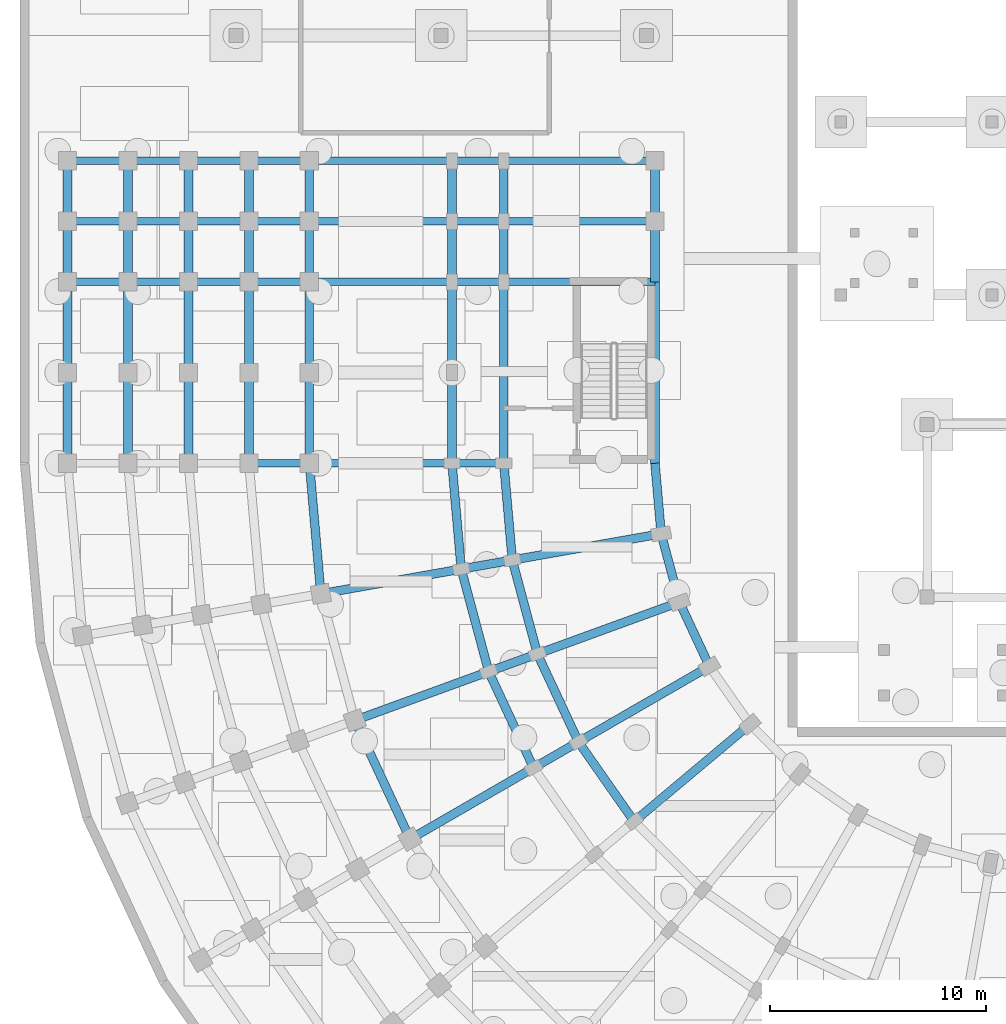
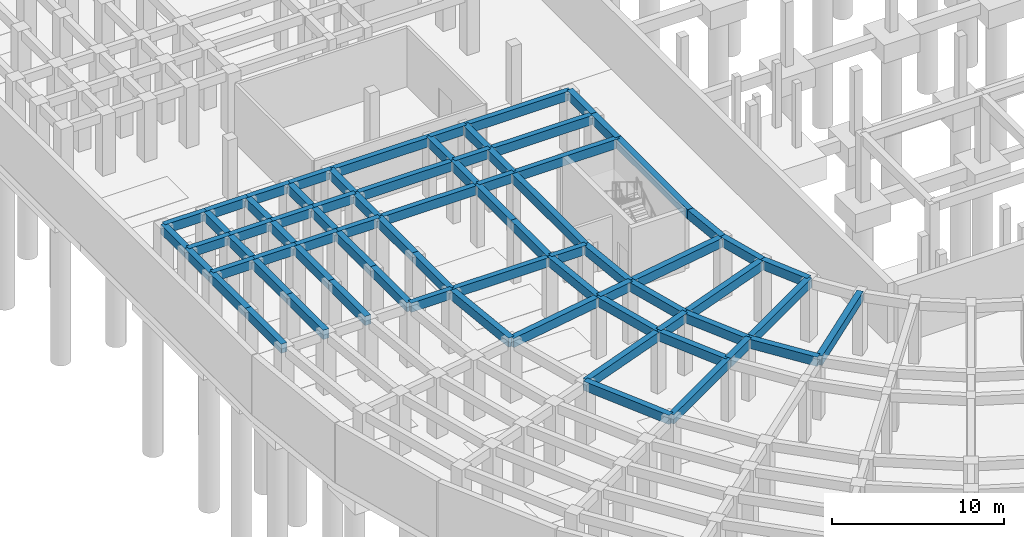
# One storey, part 20 of 53: 76 beams.
"""IFC4 building model written with IfcOpenShell, lengths in metres."""

from ifc_helpers import new_model, si_unit, direction, frame, origin, origin_2d, place, context, subcontext, project, spatial, rectangle, extrude, material, material_profile, profile_set, type_object, element, save


model = new_model("IFC4")

# Units and contexts
model_context = context("Model", 3, precision=1e-05, world=origin(), true_north=direction((0.0, 1.0)))
body_context = subcontext(model_context, "Body", "Model", "MODEL_VIEW")
ifc_project = project(units=[si_unit("LENGTHUNIT", "METRE"), si_unit("AREAUNIT", "SQUARE_METRE"), si_unit("VOLUMEUNIT", "CUBIC_METRE"), si_unit("PLANEANGLEUNIT", "RADIAN"), si_unit("MASSUNIT", "GRAM", prefix="KILO")], contexts=[model_context])

# Site, building, storey
site_placement = place(None, origin())
site = spatial("IfcSite", under=ifc_project, at=site_placement, CompositionType="ELEMENT")
building_placement = place(site_placement, origin())
building = spatial("IfcBuilding", under=site, at=building_placement, Name="Kiranvali Square Residences", CompositionType="ELEMENT")
storey_placement = place(building_placement, frame((0.0, 0.0, -4.5)))
storey = spatial("IfcBuildingStorey", under=building, at=storey_placement, Name="B1", CompositionType="ELEMENT", Elevation=-4.5)

# Beams
ifc_material_1 = material(Name="Concrete M40 (40 MPa)", Category="concrete")
ifc_material_profile_1 = material_profile(ifc_material_1, rectangle(XDim=0.35009765625, YDim=0.64990234375, at=origin_2d()), Name="RC 350x650")
ifc_profile_set_1 = profile_set([ifc_material_profile_1], Name="Concrete M40 (40 MPa)")
beam_type_1 = type_object("IfcBeamType", Name="BM-M40-350x650", PredefinedType="BEAM", material=ifc_profile_set_1)
beam_1_placement = place(storey_placement, frame((22.39990234375, 48.199951171875, 3.955078125), z_axis=(-1.0, 0.0, 0.0), x_axis=(0.0, -1.0, 0.0)))
element("IfcBeam", 1, at=beam_1_placement, inside=storey, type_object=beam_type_1, Name="B1 beam BM-C-B1-A2T0-12", PredefinedType="BEAM", context=body_context, shape_type="SweptSolid", body=[
    extrude(rectangle(XDim=0.35009765625, YDim=0.64990234375, at=origin_2d()), origin(), (0.0, 0.0, 1.0), 2.39990234375),
])
beam_2_placement = place(storey_placement, frame((20.0, 48.199951171875, 3.955078125), z_axis=(-1.0, 0.0, 0.0), x_axis=(0.0, -1.0, 0.0)))
element("IfcBeam", 2, at=beam_2_placement, inside=storey, type_object=beam_type_1, Name="B1 beam BM-C-B1-A2T0-23", PredefinedType="BEAM", context=body_context, shape_type="SweptSolid", body=[
    extrude(rectangle(XDim=0.35009765625, YDim=0.64990234375, at=origin_2d()), origin(), (0.0, 0.0, 1.0), 6.60009765625),
])
beam_3_placement = place(storey_placement, frame((13.39990234375, 48.199951171875, 3.955078125), z_axis=(-1.0, 0.0, 0.0), x_axis=(0.0, -1.0, 0.0)))
element("IfcBeam", 3, at=beam_3_placement, inside=storey, type_object=beam_type_1, Name="B1 beam BM-C-B1-A2T0-34", PredefinedType="BEAM", context=body_context, shape_type="SweptSolid", body=[
    extrude(rectangle(XDim=0.35009765625, YDim=0.64990234375, at=origin_2d()), origin(), (0.0, 0.0, 1.0), 2.7998046875),
])
beam_4_placement = place(storey_placement, frame((29.39990234375, 56.60009765625, 3.955078125), z_axis=(-1.0, 0.0, 0.0), x_axis=(0.0, -1.0, 0.0)))
element("IfcBeam", 4, at=beam_4_placement, inside=storey, type_object=beam_type_1, Name="B1 beam BM-C-B1-A2T1-01", PredefinedType="BEAM", context=body_context, shape_type="SweptSolid", body=[
    extrude(rectangle(XDim=0.35009765625, YDim=0.64990234375, at=origin_2d()), origin(), (0.0, 0.0, 1.0), 7.0),
])
beam_5_placement = place(storey_placement, frame((22.39990234375, 56.60009765625, 3.955078125), z_axis=(-1.0, 0.0, 0.0), x_axis=(0.0, -1.0, 0.0)))
element("IfcBeam", 5, at=beam_5_placement, inside=storey, type_object=beam_type_1, Name="B1 beam BM-C-B1-A2T1-12", PredefinedType="BEAM", context=body_context, shape_type="SweptSolid", body=[
    extrude(rectangle(XDim=0.35009765625, YDim=0.64990234375, at=origin_2d()), origin(), (0.0, 0.0, 1.0), 2.39990234375),
])
beam_6_placement = place(storey_placement, frame((20.0, 56.60009765625, 3.955078125), z_axis=(-1.0, 0.0, 0.0), x_axis=(0.0, -1.0, 0.0)))
element("IfcBeam", 6, at=beam_6_placement, inside=storey, type_object=beam_type_1, Name="B1 beam BM-C-B1-A2T1-23", PredefinedType="BEAM", context=body_context, shape_type="SweptSolid", body=[
    extrude(rectangle(XDim=0.35009765625, YDim=0.64990234375, at=origin_2d()), origin(), (0.0, 0.0, 1.0), 6.60009765625),
])
beam_7_placement = place(storey_placement, frame((13.39990234375, 56.60009765625, 3.955078125), z_axis=(-1.0, 0.0, 0.0), x_axis=(0.0, -1.0, 0.0)))
element("IfcBeam", 7, at=beam_7_placement, inside=storey, type_object=beam_type_1, Name="B1 beam BM-C-B1-A2T1-34", PredefinedType="BEAM", context=body_context, shape_type="SweptSolid", body=[
    extrude(rectangle(XDim=0.35009765625, YDim=0.64990234375, at=origin_2d()), origin(), (0.0, 0.0, 1.0), 2.7998046875),
])
for number, where, z_axis, x_axis, name in (
    (8, (10.60009765625, 56.60009765625, 3.955078125), (-1.0, 0.0, 0.0), (0.0, -1.0, 0.0), "B1 beam BM-C-B1-A2T1-45"),
    (9, (7.800048828125, 56.60009765625, 3.955078125), (-1.0, 0.0, 0.0), (0.0, -1.0, 0.0), "B1 beam BM-C-B1-A2T1-56"),
    (10, (5.0, 56.60009765625, 3.955078125), (-1.0, 0.0, 0.0), (0.0, -1.0, 0.0), "B1 beam BM-C-B1-A2T1-67"),
):
    element("IfcBeam", number, at=place(storey_placement, frame(where, z_axis=z_axis, x_axis=x_axis)), inside=storey, type_object=beam_type_1, Name=name, PredefinedType="BEAM", context=body_context, shape_type="SweptSolid", body=[
        extrude(rectangle(XDim=0.35009765625, YDim=0.64990234375, at=origin_2d()), origin(), (0.0, 0.0, 1.0), 2.800048828125),
    ])
beam_8_placement = place(storey_placement, frame((29.39990234375, 59.39990234375, 3.955078125), z_axis=(-1.0, 0.0, 0.0), x_axis=(0.0, -1.0, 0.0)))
element("IfcBeam", 11, at=beam_8_placement, inside=storey, type_object=beam_type_1, Name="B1 beam BM-C-B1-A2T2-01", PredefinedType="BEAM", context=body_context, shape_type="SweptSolid", body=[
    extrude(rectangle(XDim=0.35009765625, YDim=0.64990234375, at=origin_2d()), origin(), (0.0, 0.0, 1.0), 7.0),
])
beam_9_placement = place(storey_placement, frame((22.39990234375, 59.39990234375, 3.955078125), z_axis=(-1.0, 0.0, 0.0), x_axis=(0.0, -1.0, 0.0)))
element("IfcBeam", 12, at=beam_9_placement, inside=storey, type_object=beam_type_1, Name="B1 beam BM-C-B1-A2T2-12", PredefinedType="BEAM", context=body_context, shape_type="SweptSolid", body=[
    extrude(rectangle(XDim=0.35009765625, YDim=0.64990234375, at=origin_2d()), origin(), (0.0, 0.0, 1.0), 2.39990234375),
])
beam_10_placement = place(storey_placement, frame((20.0, 59.39990234375, 3.955078125), z_axis=(-1.0, 0.0, 0.0), x_axis=(0.0, -1.0, 0.0)))
element("IfcBeam", 13, at=beam_10_placement, inside=storey, type_object=beam_type_1, Name="B1 beam BM-C-B1-A2T2-23", PredefinedType="BEAM", context=body_context, shape_type="SweptSolid", body=[
    extrude(rectangle(XDim=0.35009765625, YDim=0.64990234375, at=origin_2d()), origin(), (0.0, 0.0, 1.0), 6.60009765625),
])
beam_11_placement = place(storey_placement, frame((13.39990234375, 59.39990234375, 3.955078125), z_axis=(-1.0, 0.0, 0.0), x_axis=(0.0, -1.0, 0.0)))
element("IfcBeam", 14, at=beam_11_placement, inside=storey, type_object=beam_type_1, Name="B1 beam BM-C-B1-A2T2-34", PredefinedType="BEAM", context=body_context, shape_type="SweptSolid", body=[
    extrude(rectangle(XDim=0.35009765625, YDim=0.64990234375, at=origin_2d()), origin(), (0.0, 0.0, 1.0), 2.7998046875),
])
for number, where, z_axis, x_axis, name in (
    (15, (10.60009765625, 59.39990234375, 3.955078125), (-1.0, 0.0, 0.0), (0.0, -1.0, 0.0), "B1 beam BM-C-B1-A2T2-45"),
    (16, (7.800048828125, 59.39990234375, 3.955078125), (-1.0, 0.0, 0.0), (0.0, -1.0, 0.0), "B1 beam BM-C-B1-A2T2-56"),
    (17, (5.0, 59.39990234375, 3.955078125), (-1.0, 0.0, 0.0), (0.0, -1.0, 0.0), "B1 beam BM-C-B1-A2T2-67"),
):
    element("IfcBeam", number, at=place(storey_placement, frame(where, z_axis=z_axis, x_axis=x_axis)), inside=storey, type_object=beam_type_1, Name=name, PredefinedType="BEAM", context=body_context, shape_type="SweptSolid", body=[
        extrude(rectangle(XDim=0.35009765625, YDim=0.64990234375, at=origin_2d()), origin(), (0.0, 0.0, 1.0), 2.800048828125),
    ])
beam_12_placement = place(storey_placement, frame((29.39990234375, 62.199951171875, 3.955078125), z_axis=(-1.0, 0.0, 0.0), x_axis=(0.0, -1.0, 0.0)))
element("IfcBeam", 18, at=beam_12_placement, inside=storey, type_object=beam_type_1, Name="B1 beam BM-C-B1-A2T3-01", PredefinedType="BEAM", context=body_context, shape_type="SweptSolid", body=[
    extrude(rectangle(XDim=0.35009765625, YDim=0.64990234375, at=origin_2d()), origin(), (0.0, 0.0, 1.0), 7.0),
])
beam_13_placement = place(storey_placement, frame((22.39990234375, 62.199951171875, 3.955078125), z_axis=(-1.0, 0.0, 0.0), x_axis=(0.0, -1.0, 0.0)))
element("IfcBeam", 19, at=beam_13_placement, inside=storey, type_object=beam_type_1, Name="B1 beam BM-C-B1-A2T3-12", PredefinedType="BEAM", context=body_context, shape_type="SweptSolid", body=[
    extrude(rectangle(XDim=0.35009765625, YDim=0.64990234375, at=origin_2d()), origin(), (0.0, 0.0, 1.0), 2.39990234375),
])
beam_14_placement = place(storey_placement, frame((20.0, 62.199951171875, 3.955078125), z_axis=(-1.0, 0.0, 0.0), x_axis=(0.0, -1.0, 0.0)))
element("IfcBeam", 20, at=beam_14_placement, inside=storey, type_object=beam_type_1, Name="B1 beam BM-C-B1-A2T3-23", PredefinedType="BEAM", context=body_context, shape_type="SweptSolid", body=[
    extrude(rectangle(XDim=0.35009765625, YDim=0.64990234375, at=origin_2d()), origin(), (0.0, 0.0, 1.0), 6.60009765625),
])
beam_15_placement = place(storey_placement, frame((13.39990234375, 62.199951171875, 3.955078125), z_axis=(-1.0, 0.0, 0.0), x_axis=(0.0, -1.0, 0.0)))
element("IfcBeam", 21, at=beam_15_placement, inside=storey, type_object=beam_type_1, Name="B1 beam BM-C-B1-A2T3-34", PredefinedType="BEAM", context=body_context, shape_type="SweptSolid", body=[
    extrude(rectangle(XDim=0.35009765625, YDim=0.64990234375, at=origin_2d()), origin(), (0.0, 0.0, 1.0), 2.7998046875),
])
for number, where, z_axis, x_axis, name in (
    (22, (10.60009765625, 62.199951171875, 3.955078125), (-1.0, 0.0, 0.0), (0.0, -1.0, 0.0), "B1 beam BM-C-B1-A2T3-45"),
    (23, (7.800048828125, 62.199951171875, 3.955078125), (-1.0, 0.0, 0.0), (0.0, -1.0, 0.0), "B1 beam BM-C-B1-A2T3-56"),
    (24, (5.0, 62.199951171875, 3.955078125), (-1.0, 0.0, 0.0), (0.0, -1.0, 0.0), "B1 beam BM-C-B1-A2T3-67"),
):
    element("IfcBeam", number, at=place(storey_placement, frame(where, z_axis=z_axis, x_axis=x_axis)), inside=storey, type_object=beam_type_1, Name=name, PredefinedType="BEAM", context=body_context, shape_type="SweptSolid", body=[
        extrude(rectangle(XDim=0.35009765625, YDim=0.64990234375, at=origin_2d()), origin(), (0.0, 0.0, 1.0), 2.800048828125),
    ])
ifc_material_2 = material(Name="Concrete M45 (45 MPa)", Category="concrete")
ifc_material_profile_2 = material_profile(ifc_material_2, rectangle(XDim=0.39990234375, YDim=0.64990234375, at=origin_2d()), Name="RC 400x650")
ifc_profile_set_2 = profile_set([ifc_material_profile_2], Name="Concrete M45 (45 MPa)")
beam_type_2 = type_object("IfcBeamType", Name="BM-M45-400x650", PredefinedType="BEAM", material=ifc_profile_set_2)
beam_16_placement = place(storey_placement, frame((28.43603515625, 31.615966796875, 3.955078125), z_axis=(-0.573571637217, 0.819155404658, 0.0), x_axis=(-0.819155404658, -0.573571637217, 0.0)))
element("IfcBeam", 25, at=beam_16_placement, inside=storey, type_object=beam_type_2, Name="B1 beam BM-C-B1-C05-R1", PredefinedType="BEAM", context=body_context, shape_type="SweptSolid", body=[
    extrude(rectangle(XDim=0.39990234375, YDim=0.64990234375, at=origin_2d()), origin(), (0.0, 0.0, 1.0), 4.497314453125),
])
beam_17_placement = place(storey_placement, frame((31.918701171875, 38.800048828125, 3.955078125), z_axis=(-0.422640740585, 0.90629730464, 0.0), x_axis=(-0.90629730464, -0.422640740585, 0.0)))
element("IfcBeam", 26, at=beam_17_placement, inside=storey, type_object=beam_type_2, Name="B1 beam BM-C-B1-C06-R0", PredefinedType="BEAM", context=body_context, shape_type="SweptSolid", body=[
    extrude(rectangle(XDim=0.39990234375, YDim=0.64990234375, at=origin_2d()), origin(), (0.0, 0.0, 1.0), 3.277099609375),
])
beam_18_placement = place(storey_placement, frame((25.8564453125, 35.300048828125, 3.955078125), z_axis=(-0.422617978463, 0.906307919131, 0.0), x_axis=(-0.906307919131, -0.422617978463, 0.0)))
element("IfcBeam", 27, at=beam_18_placement, inside=storey, type_object=beam_type_2, Name="B1 beam BM-C-B1-C06-R1", PredefinedType="BEAM", context=body_context, shape_type="SweptSolid", body=[
    extrude(rectangle(XDim=0.39990234375, YDim=0.64990234375, at=origin_2d()), origin(), (0.0, 0.0, 1.0), 4.497314453125),
])
beam_19_placement = place(storey_placement, frame((23.778076171875, 34.10009765625, 3.955078125), z_axis=(-0.422629854778, 0.906302381024, 0.0), x_axis=(-0.906302381024, -0.422629854778, 0.0)))
element("IfcBeam", 28, at=beam_19_placement, inside=storey, type_object=beam_type_2, Name="B1 beam BM-C-B1-C06-R2", PredefinedType="BEAM", context=body_context, shape_type="SweptSolid", body=[
    extrude(rectangle(XDim=0.39990234375, YDim=0.64990234375, at=origin_2d()), origin(), (0.0, 0.0, 1.0), 4.915283203125),
])
beam_20_placement = place(storey_placement, frame((18.062255859375, 30.800048828125, 3.955078125), z_axis=(-0.42260781991, 0.906312656069, 0.0), x_axis=(-0.906312656069, -0.42260781991, 0.0)))
element("IfcBeam", 29, at=beam_20_placement, inside=storey, type_object=beam_type_2, Name="B1 beam BM-C-B1-C06-R3", PredefinedType="BEAM", context=body_context, shape_type="SweptSolid", body=[
    extrude(rectangle(XDim=0.39990234375, YDim=0.64990234375, at=origin_2d()), origin(), (0.0, 0.0, 1.0), 6.06591796875),
])
beam_21_placement = place(storey_placement, frame((30.53369140625, 41.77001953125, 3.955078125), z_axis=(-0.258821736607, 0.965925105099, 0.0), x_axis=(-0.965925105099, -0.258821736607, 0.0)))
element("IfcBeam", 30, at=beam_21_placement, inside=storey, type_object=beam_type_2, Name="B1 beam BM-C-B1-C07-R0", PredefinedType="BEAM", context=body_context, shape_type="SweptSolid", body=[
    extrude(rectangle(XDim=0.39990234375, YDim=0.64990234375, at=origin_2d()), origin(), (0.0, 0.0, 1.0), 3.27685546875),
])
beam_22_placement = place(storey_placement, frame((23.955810546875, 39.3759765625, 3.955078125), z_axis=(-0.258787642463, 0.965934240054, 0.0), x_axis=(-0.965934240054, -0.258787642463, 0.0)))
element("IfcBeam", 31, at=beam_22_placement, inside=storey, type_object=beam_type_2, Name="B1 beam BM-C-B1-C07-R1", PredefinedType="BEAM", context=body_context, shape_type="SweptSolid", body=[
    extrude(rectangle(XDim=0.39990234375, YDim=0.64990234375, at=origin_2d()), origin(), (0.0, 0.0, 1.0), 4.497314453125),
])
beam_23_placement = place(storey_placement, frame((21.70068359375, 38.554931640625, 3.955078125), z_axis=(-0.258803112091, 0.965930095386, 0.0), x_axis=(-0.965930095386, -0.258803112091, 0.0)))
element("IfcBeam", 32, at=beam_23_placement, inside=storey, type_object=beam_type_2, Name="B1 beam BM-C-B1-C07-R2", PredefinedType="BEAM", context=body_context, shape_type="SweptSolid", body=[
    extrude(rectangle(XDim=0.39990234375, YDim=0.64990234375, at=origin_2d()), origin(), (0.0, 0.0, 1.0), 4.915771484375),
])
beam_24_placement = place(storey_placement, frame((29.685546875, 44.935302734375, 3.955078125), z_axis=(-0.087163253657, 0.996194040944, 0.0), x_axis=(-0.996194040944, -0.087163253657, 0.0)))
element("IfcBeam", 33, at=beam_24_placement, inside=storey, type_object=beam_type_2, Name="B1 beam BM-C-B1-C08-R0", PredefinedType="BEAM", context=body_context, shape_type="SweptSolid", body=[
    extrude(rectangle(XDim=0.39990234375, YDim=0.64990234375, at=origin_2d()), origin(), (0.0, 0.0, 1.0), 3.277099609375),
])
beam_25_placement = place(storey_placement, frame((22.7919921875, 43.719970703125, 3.955078125), z_axis=(-0.087187153726, 0.996191949488, 0.0), x_axis=(-0.996191949488, -0.087187153726, 0.0)))
element("IfcBeam", 34, at=beam_25_placement, inside=storey, type_object=beam_type_2, Name="B1 beam BM-C-B1-C08-R1", PredefinedType="BEAM", context=body_context, shape_type="SweptSolid", body=[
    extrude(rectangle(XDim=0.39990234375, YDim=0.64990234375, at=origin_2d()), origin(), (0.0, 0.0, 1.0), 4.4970703125),
])
beam_26_placement = place(storey_placement, frame((20.428466796875, 43.30322265625, 3.955078125), z_axis=(-0.087167566415, 0.996193663584, 0.0), x_axis=(-0.996193663584, -0.087167566415, 0.0)))
element("IfcBeam", 35, at=beam_26_placement, inside=storey, type_object=beam_type_2, Name="B1 beam BM-C-B1-C08-R2", PredefinedType="BEAM", context=body_context, shape_type="SweptSolid", body=[
    extrude(rectangle(XDim=0.39990234375, YDim=0.64990234375, at=origin_2d()), origin(), (0.0, 0.0, 1.0), 4.91552734375),
])
beam_27_placement = place(storey_placement, frame((13.9287109375, 42.156982421875, 3.955078125), z_axis=(-0.087174938512, 0.996193018494, 0.0), x_axis=(-0.996193018494, -0.087174938512, 0.0)))
element("IfcBeam", 36, at=beam_27_placement, inside=storey, type_object=beam_type_2, Name="B1 beam BM-C-B1-C08-R3", PredefinedType="BEAM", context=body_context, shape_type="SweptSolid", body=[
    extrude(rectangle(XDim=0.39990234375, YDim=0.64990234375, at=origin_2d()), origin(), (0.0, 0.0, 1.0), 6.066162109375),
])
for number, where, z_axis, x_axis, name in (
    (37, (33.79833984375, 36.115478515625, 3.955078125), (-0.766044173478, -0.642787931032, 0.0), (0.642787931032, -0.766044173478, 0.0), "B1 beam BM-C-B1-RAD05-01"),
    (38, (31.918701171875, 38.800048828125, 3.955078125), (-0.866028190633, -0.499995173006, 0.0), (0.499995173006, -0.866028190633, 0.0), "B1 beam BM-C-B1-RAD06-01"),
):
    element("IfcBeam", number, at=place(storey_placement, frame(where, z_axis=z_axis, x_axis=x_axis)), inside=storey, type_object=beam_type_2, Name=name, PredefinedType="BEAM", context=body_context, shape_type="SweptSolid", body=[
        extrude(rectangle(XDim=0.39990234375, YDim=0.64990234375, at=origin_2d()), origin(), (0.0, 0.0, 1.0), 7.0),
    ])
beam_28_placement = place(storey_placement, frame((25.8564453125, 35.300048828125, 3.955078125), z_axis=(-0.866024647952, -0.500001309137, 0.0), x_axis=(0.500001309137, -0.866024647952, 0.0)))
element("IfcBeam", 39, at=beam_28_placement, inside=storey, type_object=beam_type_2, Name="B1 beam BM-C-B1-RAD06-12", PredefinedType="BEAM", context=body_context, shape_type="SweptSolid", body=[
    extrude(rectangle(XDim=0.39990234375, YDim=0.64990234375, at=origin_2d()), origin(), (0.0, 0.0, 1.0), 2.39990234375),
])
beam_29_placement = place(storey_placement, frame((23.778076171875, 34.10009765625, 3.955078125), z_axis=(-0.866024194504, -0.500002094529, 0.0), x_axis=(0.500002094529, -0.866024194504, 0.0)))
element("IfcBeam", 40, at=beam_29_placement, inside=storey, type_object=beam_type_2, Name="B1 beam BM-C-B1-RAD06-23", PredefinedType="BEAM", context=body_context, shape_type="SweptSolid", body=[
    extrude(rectangle(XDim=0.39990234375, YDim=0.64990234375, at=origin_2d()), origin(), (0.0, 0.0, 1.0), 6.60009765625),
])
beam_30_placement = place(storey_placement, frame((30.53369140625, 41.77001953125, 3.955078125), z_axis=(-0.939697665127, -0.342006283793, 0.0), x_axis=(0.342006283793, -0.939697665127, 0.0)))
element("IfcBeam", 41, at=beam_30_placement, inside=storey, type_object=beam_type_2, Name="B1 beam BM-C-B1-RAD07-01", PredefinedType="BEAM", context=body_context, shape_type="SweptSolid", body=[
    extrude(rectangle(XDim=0.39990234375, YDim=0.64990234375, at=origin_2d()), origin(), (0.0, 0.0, 1.0), 7.0),
])
beam_31_placement = place(storey_placement, frame((23.955810546875, 39.3759765625, 3.955078125), z_axis=(-0.939659694648, -0.342110593602, 0.0), x_axis=(0.342110593602, -0.939659694648, 0.0)))
element("IfcBeam", 42, at=beam_31_placement, inside=storey, type_object=beam_type_2, Name="B1 beam BM-C-B1-RAD07-12", PredefinedType="BEAM", context=body_context, shape_type="SweptSolid", body=[
    extrude(rectangle(XDim=0.39990234375, YDim=0.64990234375, at=origin_2d()), origin(), (0.0, 0.0, 1.0), 2.39990234375),
])
beam_32_placement = place(storey_placement, frame((21.70068359375, 38.554931640625, 3.955078125), z_axis=(-0.939691858249, -0.342022238372, 0.0), x_axis=(0.342022238372, -0.939691858249, 0.0)))
element("IfcBeam", 43, at=beam_32_placement, inside=storey, type_object=beam_type_2, Name="B1 beam BM-C-B1-RAD07-23", PredefinedType="BEAM", context=body_context, shape_type="SweptSolid", body=[
    extrude(rectangle(XDim=0.39990234375, YDim=0.64990234375, at=origin_2d()), origin(), (0.0, 0.0, 1.0), 6.599853515625),
])
beam_33_placement = place(storey_placement, frame((29.685546875, 44.935302734375, 3.955078125), z_axis=(-0.984812337125, -0.173622177865, 0.0), x_axis=(0.173622177865, -0.984812337125, 0.0)))
element("IfcBeam", 44, at=beam_33_placement, inside=storey, type_object=beam_type_2, Name="B1 beam BM-C-B1-RAD08-01", PredefinedType="BEAM", context=body_context, shape_type="SweptSolid", body=[
    extrude(rectangle(XDim=0.39990234375, YDim=0.64990234375, at=origin_2d()), origin(), (0.0, 0.0, 1.0), 6.999755859375),
])
beam_34_placement = place(storey_placement, frame((22.7919921875, 43.719970703125, 3.955078125), z_axis=(-0.984808127031, -0.173646056486, 0.0), x_axis=(0.173646056486, -0.984808127031, 0.0)))
element("IfcBeam", 45, at=beam_34_placement, inside=storey, type_object=beam_type_2, Name="B1 beam BM-C-B1-RAD08-12", PredefinedType="BEAM", context=body_context, shape_type="SweptSolid", body=[
    extrude(rectangle(XDim=0.39990234375, YDim=0.64990234375, at=origin_2d()), origin(), (0.0, 0.0, 1.0), 2.39990234375),
])
beam_35_placement = place(storey_placement, frame((20.428466796875, 43.30322265625, 3.955078125), z_axis=(-0.984803661269, -0.173671381499, 0.0), x_axis=(0.173671381499, -0.984803661269, 0.0)))
element("IfcBeam", 46, at=beam_35_placement, inside=storey, type_object=beam_type_2, Name="B1 beam BM-C-B1-RAD08-23", PredefinedType="BEAM", context=body_context, shape_type="SweptSolid", body=[
    extrude(rectangle(XDim=0.39990234375, YDim=0.64990234375, at=origin_2d()), origin(), (0.0, 0.0, 1.0), 6.60009765625),
])
beam_36_placement = place(storey_placement, frame((29.39990234375, 48.199951171875, 3.955078125), z_axis=(0.0, 1.0, 0.0), x_axis=(-1.0, 0.0, 0.0)))
element("IfcBeam", 47, at=beam_36_placement, inside=storey, type_object=beam_type_2, Name="B1 beam BM-C-B1-A2V0-R0", PredefinedType="BEAM", context=body_context, shape_type="SweptSolid", body=[
    extrude(rectangle(XDim=0.39990234375, YDim=0.64990234375, at=origin_2d()), origin(), (0.0, 0.0, 1.0), 8.400146484375),
])
beam_37_placement = place(storey_placement, frame((29.39990234375, 56.60009765625, 3.955078125), z_axis=(0.0, 1.0, 0.0), x_axis=(-1.0, 0.0, 0.0)))
element("IfcBeam", 48, at=beam_37_placement, inside=storey, type_object=beam_type_2, Name="B1 beam BM-C-B1-A2V1-R0", PredefinedType="BEAM", context=body_context, shape_type="SweptSolid", body=[
    extrude(rectangle(XDim=0.39990234375, YDim=0.64990234375, at=origin_2d()), origin(), (0.0, 0.0, 1.0), 2.7998046875),
])
beam_38_placement = place(storey_placement, frame((29.39990234375, 59.39990234375, 3.955078125), z_axis=(0.0, 1.0, 0.0), x_axis=(-1.0, 0.0, 0.0)))
element("IfcBeam", 49, at=beam_38_placement, inside=storey, type_object=beam_type_2, Name="B1 beam BM-C-B1-A2V2-R0", PredefinedType="BEAM", context=body_context, shape_type="SweptSolid", body=[
    extrude(rectangle(XDim=0.39990234375, YDim=0.64990234375, at=origin_2d()), origin(), (0.0, 0.0, 1.0), 2.800048828125),
])
beam_39_placement = place(storey_placement, frame((22.39990234375, 48.199951171875, 3.955078125), z_axis=(0.0, 1.0, 0.0), x_axis=(-1.0, 0.0, 0.0)))
element("IfcBeam", 50, at=beam_39_placement, inside=storey, type_object=beam_type_2, Name="B1 beam BM-C-B1-A2V0-R1", PredefinedType="BEAM", context=body_context, shape_type="SweptSolid", body=[
    extrude(rectangle(XDim=0.39990234375, YDim=0.64990234375, at=origin_2d()), origin(), (0.0, 0.0, 1.0), 8.400146484375),
])
beam_40_placement = place(storey_placement, frame((22.39990234375, 56.60009765625, 3.955078125), z_axis=(0.0, 1.0, 0.0), x_axis=(-1.0, 0.0, 0.0)))
element("IfcBeam", 51, at=beam_40_placement, inside=storey, type_object=beam_type_2, Name="B1 beam BM-C-B1-A2V1-R1", PredefinedType="BEAM", context=body_context, shape_type="SweptSolid", body=[
    extrude(rectangle(XDim=0.39990234375, YDim=0.64990234375, at=origin_2d()), origin(), (0.0, 0.0, 1.0), 2.7998046875),
])
beam_41_placement = place(storey_placement, frame((22.39990234375, 59.39990234375, 3.955078125), z_axis=(0.0, 1.0, 0.0), x_axis=(-1.0, 0.0, 0.0)))
element("IfcBeam", 52, at=beam_41_placement, inside=storey, type_object=beam_type_2, Name="B1 beam BM-C-B1-A2V2-R1", PredefinedType="BEAM", context=body_context, shape_type="SweptSolid", body=[
    extrude(rectangle(XDim=0.39990234375, YDim=0.64990234375, at=origin_2d()), origin(), (0.0, 0.0, 1.0), 2.800048828125),
])
beam_42_placement = place(storey_placement, frame((20.0, 48.199951171875, 3.955078125), z_axis=(0.0, 1.0, 0.0), x_axis=(-1.0, 0.0, 0.0)))
element("IfcBeam", 53, at=beam_42_placement, inside=storey, type_object=beam_type_2, Name="B1 beam BM-C-B1-A2V0-R2", PredefinedType="BEAM", context=body_context, shape_type="SweptSolid", body=[
    extrude(rectangle(XDim=0.39990234375, YDim=0.64990234375, at=origin_2d()), origin(), (0.0, 0.0, 1.0), 4.199951171875),
])
beam_43_placement = place(storey_placement, frame((20.0, 52.39990234375, 3.955078125), z_axis=(0.0, 1.0, 0.0), x_axis=(-1.0, 0.0, 0.0)))
element("IfcBeam", 54, at=beam_43_placement, inside=storey, type_object=beam_type_2, Name="B1 beam BM-C-B1-A2V1-R2", PredefinedType="BEAM", context=body_context, shape_type="SweptSolid", body=[
    extrude(rectangle(XDim=0.39990234375, YDim=0.64990234375, at=origin_2d()), origin(), (0.0, 0.0, 1.0), 4.2001953125),
])
beam_44_placement = place(storey_placement, frame((20.0, 56.60009765625, 3.955078125), z_axis=(0.0, 1.0, 0.0), x_axis=(-1.0, 0.0, 0.0)))
element("IfcBeam", 55, at=beam_44_placement, inside=storey, type_object=beam_type_2, Name="B1 beam BM-C-B1-A2V2-R2", PredefinedType="BEAM", context=body_context, shape_type="SweptSolid", body=[
    extrude(rectangle(XDim=0.39990234375, YDim=0.64990234375, at=origin_2d()), origin(), (0.0, 0.0, 1.0), 2.7998046875),
])
beam_45_placement = place(storey_placement, frame((20.0, 59.39990234375, 3.955078125), z_axis=(0.0, 1.0, 0.0), x_axis=(-1.0, 0.0, 0.0)))
element("IfcBeam", 56, at=beam_45_placement, inside=storey, type_object=beam_type_2, Name="B1 beam BM-C-B1-A2V3-R2", PredefinedType="BEAM", context=body_context, shape_type="SweptSolid", body=[
    extrude(rectangle(XDim=0.39990234375, YDim=0.64990234375, at=origin_2d()), origin(), (0.0, 0.0, 1.0), 2.800048828125),
])
beam_46_placement = place(storey_placement, frame((13.39990234375, 48.199951171875, 3.955078125), z_axis=(0.0, 1.0, 0.0), x_axis=(-1.0, 0.0, 0.0)))
element("IfcBeam", 57, at=beam_46_placement, inside=storey, type_object=beam_type_2, Name="B1 beam BM-C-B1-A2V0-R3", PredefinedType="BEAM", context=body_context, shape_type="SweptSolid", body=[
    extrude(rectangle(XDim=0.39990234375, YDim=0.64990234375, at=origin_2d()), origin(), (0.0, 0.0, 1.0), 4.199951171875),
])
beam_47_placement = place(storey_placement, frame((13.39990234375, 52.39990234375, 3.955078125), z_axis=(0.0, 1.0, 0.0), x_axis=(-1.0, 0.0, 0.0)))
element("IfcBeam", 58, at=beam_47_placement, inside=storey, type_object=beam_type_2, Name="B1 beam BM-C-B1-A2V1-R3", PredefinedType="BEAM", context=body_context, shape_type="SweptSolid", body=[
    extrude(rectangle(XDim=0.39990234375, YDim=0.64990234375, at=origin_2d()), origin(), (0.0, 0.0, 1.0), 4.2001953125),
])
beam_48_placement = place(storey_placement, frame((13.39990234375, 56.60009765625, 3.955078125), z_axis=(0.0, 1.0, 0.0), x_axis=(-1.0, 0.0, 0.0)))
element("IfcBeam", 59, at=beam_48_placement, inside=storey, type_object=beam_type_2, Name="B1 beam BM-C-B1-A2V2-R3", PredefinedType="BEAM", context=body_context, shape_type="SweptSolid", body=[
    extrude(rectangle(XDim=0.39990234375, YDim=0.64990234375, at=origin_2d()), origin(), (0.0, 0.0, 1.0), 2.7998046875),
])
beam_49_placement = place(storey_placement, frame((13.39990234375, 59.39990234375, 3.955078125), z_axis=(0.0, 1.0, 0.0), x_axis=(-1.0, 0.0, 0.0)))
element("IfcBeam", 60, at=beam_49_placement, inside=storey, type_object=beam_type_2, Name="B1 beam BM-C-B1-A2V3-R3", PredefinedType="BEAM", context=body_context, shape_type="SweptSolid", body=[
    extrude(rectangle(XDim=0.39990234375, YDim=0.64990234375, at=origin_2d()), origin(), (0.0, 0.0, 1.0), 2.800048828125),
])
beam_50_placement = place(storey_placement, frame((10.60009765625, 48.199951171875, 3.955078125), z_axis=(0.0, 1.0, 0.0), x_axis=(-1.0, 0.0, 0.0)))
element("IfcBeam", 61, at=beam_50_placement, inside=storey, type_object=beam_type_2, Name="B1 beam BM-C-B1-A2V0-R4", PredefinedType="BEAM", context=body_context, shape_type="SweptSolid", body=[
    extrude(rectangle(XDim=0.39990234375, YDim=0.64990234375, at=origin_2d()), origin(), (0.0, 0.0, 1.0), 4.199951171875),
])
beam_51_placement = place(storey_placement, frame((10.60009765625, 52.39990234375, 3.955078125), z_axis=(0.0, 1.0, 0.0), x_axis=(-1.0, 0.0, 0.0)))
element("IfcBeam", 62, at=beam_51_placement, inside=storey, type_object=beam_type_2, Name="B1 beam BM-C-B1-A2V1-R4", PredefinedType="BEAM", context=body_context, shape_type="SweptSolid", body=[
    extrude(rectangle(XDim=0.39990234375, YDim=0.64990234375, at=origin_2d()), origin(), (0.0, 0.0, 1.0), 4.2001953125),
])
beam_52_placement = place(storey_placement, frame((10.60009765625, 56.60009765625, 3.955078125), z_axis=(0.0, 1.0, 0.0), x_axis=(-1.0, 0.0, 0.0)))
element("IfcBeam", 63, at=beam_52_placement, inside=storey, type_object=beam_type_2, Name="B1 beam BM-C-B1-A2V2-R4", PredefinedType="BEAM", context=body_context, shape_type="SweptSolid", body=[
    extrude(rectangle(XDim=0.39990234375, YDim=0.64990234375, at=origin_2d()), origin(), (0.0, 0.0, 1.0), 2.7998046875),
])
beam_53_placement = place(storey_placement, frame((10.60009765625, 59.39990234375, 3.955078125), z_axis=(0.0, 1.0, 0.0), x_axis=(-1.0, 0.0, 0.0)))
element("IfcBeam", 64, at=beam_53_placement, inside=storey, type_object=beam_type_2, Name="B1 beam BM-C-B1-A2V3-R4", PredefinedType="BEAM", context=body_context, shape_type="SweptSolid", body=[
    extrude(rectangle(XDim=0.39990234375, YDim=0.64990234375, at=origin_2d()), origin(), (0.0, 0.0, 1.0), 2.800048828125),
])
beam_54_placement = place(storey_placement, frame((7.800048828125, 48.199951171875, 3.955078125), z_axis=(0.0, 1.0, 0.0), x_axis=(-1.0, 0.0, 0.0)))
element("IfcBeam", 65, at=beam_54_placement, inside=storey, type_object=beam_type_2, Name="B1 beam BM-C-B1-A2V0-R5", PredefinedType="BEAM", context=body_context, shape_type="SweptSolid", body=[
    extrude(rectangle(XDim=0.39990234375, YDim=0.64990234375, at=origin_2d()), origin(), (0.0, 0.0, 1.0), 4.199951171875),
])
beam_55_placement = place(storey_placement, frame((7.800048828125, 52.39990234375, 3.955078125), z_axis=(0.0, 1.0, 0.0), x_axis=(-1.0, 0.0, 0.0)))
element("IfcBeam", 66, at=beam_55_placement, inside=storey, type_object=beam_type_2, Name="B1 beam BM-C-B1-A2V1-R5", PredefinedType="BEAM", context=body_context, shape_type="SweptSolid", body=[
    extrude(rectangle(XDim=0.39990234375, YDim=0.64990234375, at=origin_2d()), origin(), (0.0, 0.0, 1.0), 4.2001953125),
])
beam_56_placement = place(storey_placement, frame((7.800048828125, 56.60009765625, 3.955078125), z_axis=(0.0, 1.0, 0.0), x_axis=(-1.0, 0.0, 0.0)))
element("IfcBeam", 67, at=beam_56_placement, inside=storey, type_object=beam_type_2, Name="B1 beam BM-C-B1-A2V2-R5", PredefinedType="BEAM", context=body_context, shape_type="SweptSolid", body=[
    extrude(rectangle(XDim=0.39990234375, YDim=0.64990234375, at=origin_2d()), origin(), (0.0, 0.0, 1.0), 2.7998046875),
])
beam_57_placement = place(storey_placement, frame((7.800048828125, 59.39990234375, 3.955078125), z_axis=(0.0, 1.0, 0.0), x_axis=(-1.0, 0.0, 0.0)))
element("IfcBeam", 68, at=beam_57_placement, inside=storey, type_object=beam_type_2, Name="B1 beam BM-C-B1-A2V3-R5", PredefinedType="BEAM", context=body_context, shape_type="SweptSolid", body=[
    extrude(rectangle(XDim=0.39990234375, YDim=0.64990234375, at=origin_2d()), origin(), (0.0, 0.0, 1.0), 2.800048828125),
])
beam_58_placement = place(storey_placement, frame((5.0, 48.199951171875, 3.955078125), z_axis=(0.0, 1.0, 0.0), x_axis=(-1.0, 0.0, 0.0)))
element("IfcBeam", 69, at=beam_58_placement, inside=storey, type_object=beam_type_2, Name="B1 beam BM-C-B1-A2V0-R6", PredefinedType="BEAM", context=body_context, shape_type="SweptSolid", body=[
    extrude(rectangle(XDim=0.39990234375, YDim=0.64990234375, at=origin_2d()), origin(), (0.0, 0.0, 1.0), 4.199951171875),
])
beam_59_placement = place(storey_placement, frame((5.0, 52.39990234375, 3.955078125), z_axis=(0.0, 1.0, 0.0), x_axis=(-1.0, 0.0, 0.0)))
element("IfcBeam", 70, at=beam_59_placement, inside=storey, type_object=beam_type_2, Name="B1 beam BM-C-B1-A2V1-R6", PredefinedType="BEAM", context=body_context, shape_type="SweptSolid", body=[
    extrude(rectangle(XDim=0.39990234375, YDim=0.64990234375, at=origin_2d()), origin(), (0.0, 0.0, 1.0), 4.2001953125),
])
beam_60_placement = place(storey_placement, frame((5.0, 56.60009765625, 3.955078125), z_axis=(0.0, 1.0, 0.0), x_axis=(-1.0, 0.0, 0.0)))
element("IfcBeam", 71, at=beam_60_placement, inside=storey, type_object=beam_type_2, Name="B1 beam BM-C-B1-A2V2-R6", PredefinedType="BEAM", context=body_context, shape_type="SweptSolid", body=[
    extrude(rectangle(XDim=0.39990234375, YDim=0.64990234375, at=origin_2d()), origin(), (0.0, 0.0, 1.0), 2.7998046875),
])
beam_61_placement = place(storey_placement, frame((5.0, 59.39990234375, 3.955078125), z_axis=(0.0, 1.0, 0.0), x_axis=(-1.0, 0.0, 0.0)))
element("IfcBeam", 72, at=beam_61_placement, inside=storey, type_object=beam_type_2, Name="B1 beam BM-C-B1-A2V3-R6", PredefinedType="BEAM", context=body_context, shape_type="SweptSolid", body=[
    extrude(rectangle(XDim=0.39990234375, YDim=0.64990234375, at=origin_2d()), origin(), (0.0, 0.0, 1.0), 2.800048828125),
])
beam_62_placement = place(storey_placement, frame((2.199951171875, 48.199951171875, 3.955078125), z_axis=(0.0, 1.0, 0.0), x_axis=(-1.0, 0.0, 0.0)))
element("IfcBeam", 73, at=beam_62_placement, inside=storey, type_object=beam_type_2, Name="B1 beam BM-C-B1-A2V0-R7", PredefinedType="BEAM", context=body_context, shape_type="SweptSolid", body=[
    extrude(rectangle(XDim=0.39990234375, YDim=0.64990234375, at=origin_2d()), origin(), (0.0, 0.0, 1.0), 4.199951171875),
])
beam_63_placement = place(storey_placement, frame((2.199951171875, 52.39990234375, 3.955078125), z_axis=(0.0, 1.0, 0.0), x_axis=(-1.0, 0.0, 0.0)))
element("IfcBeam", 74, at=beam_63_placement, inside=storey, type_object=beam_type_2, Name="B1 beam BM-C-B1-A2V1-R7", PredefinedType="BEAM", context=body_context, shape_type="SweptSolid", body=[
    extrude(rectangle(XDim=0.39990234375, YDim=0.64990234375, at=origin_2d()), origin(), (0.0, 0.0, 1.0), 4.2001953125),
])
beam_64_placement = place(storey_placement, frame((2.199951171875, 56.60009765625, 3.955078125), z_axis=(0.0, 1.0, 0.0), x_axis=(-1.0, 0.0, 0.0)))
element("IfcBeam", 75, at=beam_64_placement, inside=storey, type_object=beam_type_2, Name="B1 beam BM-C-B1-A2V2-R7", PredefinedType="BEAM", context=body_context, shape_type="SweptSolid", body=[
    extrude(rectangle(XDim=0.39990234375, YDim=0.64990234375, at=origin_2d()), origin(), (0.0, 0.0, 1.0), 2.7998046875),
])
beam_65_placement = place(storey_placement, frame((2.199951171875, 59.39990234375, 3.955078125), z_axis=(0.0, 1.0, 0.0), x_axis=(-1.0, 0.0, 0.0)))
element("IfcBeam", 76, at=beam_65_placement, inside=storey, type_object=beam_type_2, Name="B1 beam BM-C-B1-A2V3-R7", PredefinedType="BEAM", context=body_context, shape_type="SweptSolid", body=[
    extrude(rectangle(XDim=0.39990234375, YDim=0.64990234375, at=origin_2d()), origin(), (0.0, 0.0, 1.0), 2.800048828125),
])

save(model, "model.ifc")
